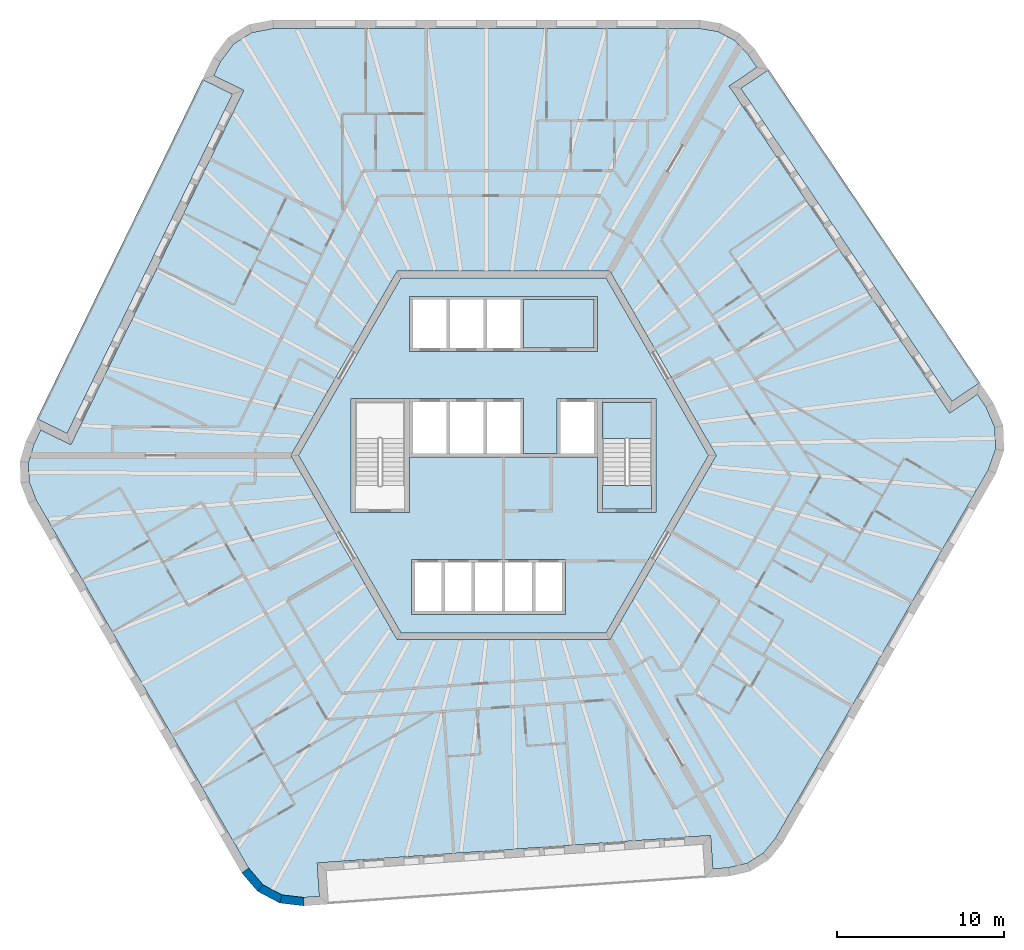
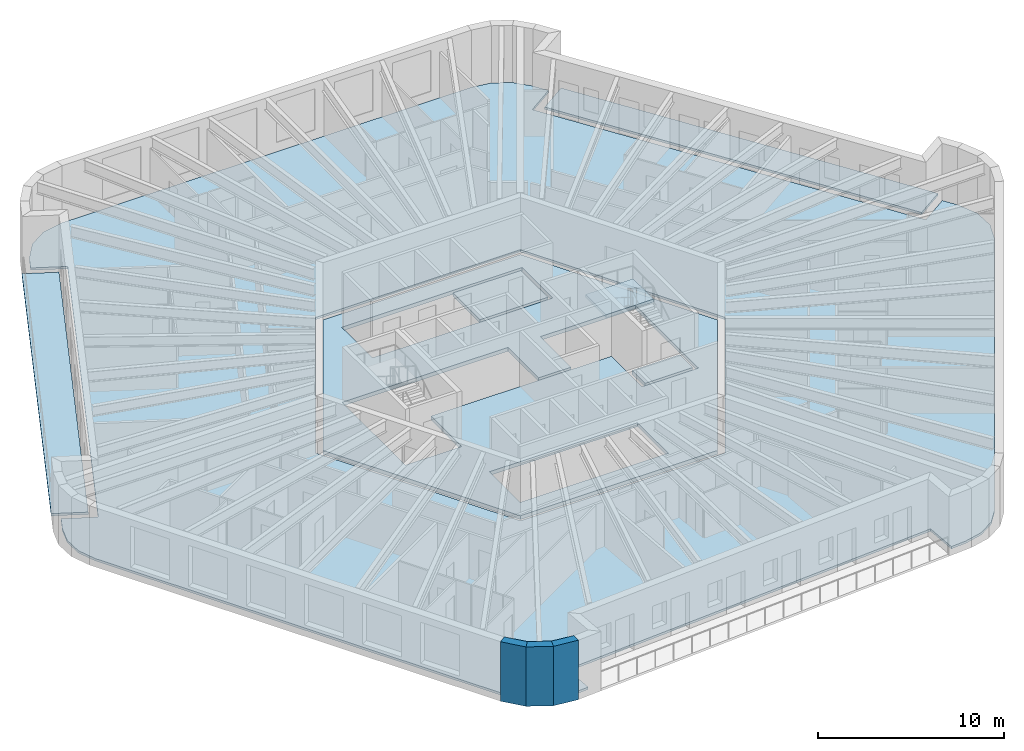
# One storey, part 2 of 12: 7 slabs, 3 walls, 1 element without a shape of its own.
"""IFC4 building model written with IfcOpenShell, lengths in metres."""

from ifc_helpers import new_model, si_unit, direction, frame, origin, place, context, subcontext, project, spatial, polyline, outline, extrude, material, layer, layer_set, type_object, element, aggregate, save


model = new_model("IFC4")

# Units and contexts
model_context = context("Model", 3, precision=1e-05, world=origin(), true_north=direction((0.0, 1.0)))
body_context = subcontext(model_context, "Body", "Model", "MODEL_VIEW")
ifc_project = project(units=[si_unit("LENGTHUNIT", "METRE"), si_unit("AREAUNIT", "SQUARE_METRE"), si_unit("VOLUMEUNIT", "CUBIC_METRE"), si_unit("PLANEANGLEUNIT", "RADIAN"), si_unit("MASSUNIT", "GRAM", prefix="KILO")], contexts=[model_context])

# Site, building, storey
site_placement = place(None, origin())
site = spatial("IfcSite", under=ifc_project, at=site_placement, CompositionType="ELEMENT")
building_placement = place(site_placement, origin())
building = spatial("IfcBuilding", under=site, at=building_placement, Name="Tarnside Tower", CompositionType="ELEMENT")
storey_placement = place(building_placement, frame((0.0, 0.0, 275.699951171875)))
storey = spatial("IfcBuildingStorey", under=building, at=storey_placement, Name="L66", CompositionType="ELEMENT", Elevation=275.699951171875)

# Slabs
ifc_material_1 = material(Name="Concrete C35/45", Category="concrete")
ifc_layer_1 = layer(ifc_material_1, 0.14990234375)
ifc_layer_set_1 = layer_set([ifc_layer_1], Name="Composite floor slab 150")
slab_type_1 = type_object("IfcSlabType", Name="Composite floor slab 150", PredefinedType="FLOOR", material=ifc_layer_set_1)
slab_1_placement = place(storey_placement, frame((0.0, 0.0, -0.14990234375)))
element("IfcSlab", 1, at=slab_1_placement, inside=storey, type_object=slab_type_1, Name="Floor slab L66", PredefinedType="FLOOR", context=body_context, shape_type="SweptSolid", body=[
    extrude(outline(polyline([(12.81689453125, 25.312744140625), (13.818115234375, 24.7802734375), (14.610595703125, 23.940185546875), (15.130615234375, 23.169677734375), (13.472412109375, 22.05126953125), (26.638427734375, 2.53173828125), (28.29638671875, 3.650146484375), (28.814697265625, 2.8818359375), (29.336669921875, 1.671875), (29.3818359375, 0.378662109375), (28.945556640625, -0.864990234375), (16.2451171875, -22.86279296875), (15.51318359375, -23.756103515625), (14.55126953125, -24.35693359375), (13.427490234375, -24.623291015625), (12.500244140625, -24.688232421875), (12.360595703125, -22.693115234375), (-11.126708984375, -24.33544921875), (-10.9873046875, -26.33056640625), (-11.91162109375, -26.395263671875), (-13.220458984375, -26.2421875), (-14.363037109375, -25.634765625), (-15.2216796875, -24.635009765625), (-27.922119140625, -2.63720703125), (-28.329833984375, -1.556640625), (-28.369384765625, -0.42333984375), (-28.0380859375, 0.68310546875), (-27.630615234375, 1.5185546875), (-25.8330078125, 0.641845703125), (-15.51171875, 21.8037109375), (-17.309326171875, 22.680419921875), (-16.903076171875, 23.51318359375), (-16.1162109375, 24.5703125), (-15.018798828125, 25.256103515625), (-13.723876953125, 25.5), (11.67724609375, 25.5), (12.81689453125, 25.312744140625)]), holes=[polyline([(-12.70166015625, 0.0), (-6.350830078125, -11.0), (6.350830078125, -11.0), (12.70166015625, 0.0), (6.350830078125, 11.0), (-6.350830078125, 11.0), (-12.70166015625, 0.0)])]), origin(), (0.0, 0.0, 1.0), 0.14990234375),
])
ifc_material_2 = material(Name="Concrete C40/50", Category="concrete")
ifc_layer_2 = layer(ifc_material_2, 0.25)
ifc_layer_set_2 = layer_set([ifc_layer_2], Name="Core slab C40/50")
slab_type_2 = type_object("IfcSlabType", Name="Core slab C40/50", PredefinedType="FLOOR", material=ifc_layer_set_2)
slab_2_placement = place(storey_placement, frame((0.0, 0.0, -0.25)))
element("IfcSlab", 2, at=slab_2_placement, inside=storey, type_object=slab_type_2, Name="L66 core floor slab 1", PredefinedType="FLOOR", context=body_context, shape_type="SweptSolid", body=[
    extrude(outline(polyline([(6.119873046875, 10.60009765625), (12.23974609375, 0.0), (6.119873046875, -10.60009765625), (-6.119873046875, -10.60009765625), (-12.23974609375, 0.0), (-6.119873046875, 10.60009765625), (6.119873046875, 10.60009765625)]), holes=[polyline([(-5.5, -9.5), (3.699951171875, -9.5), (3.699951171875, -9.300048828125), (3.699951171875, -6.39990234375), (3.699951171875, -6.199951171875), (-5.5, -6.199951171875), (-5.5, -6.39990234375), (-5.5, -9.300048828125), (-5.5, -9.5)]), polyline([(-5.60009765625, -3.39990234375), (-5.60009765625, -0.10009765625), (5.60009765625, -0.10009765625), (5.60009765625, -3.39990234375), (5.89990234375, -3.39990234375), (8.85009765625, -3.39990234375), (9.10009765625, -3.39990234375), (9.10009765625, 3.39990234375), (8.85009765625, 3.39990234375), (5.89990234375, 3.39990234375), (5.60009765625, 3.39990234375), (3.39990234375, 3.39990234375), (3.199951171875, 3.39990234375), (3.199951171875, 0.10009765625), (1.199951171875, 0.10009765625), (1.199951171875, 3.39990234375), (1.0, 3.39990234375), (-5.60009765625, 3.39990234375), (-5.89990234375, 3.39990234375), (-8.85009765625, 3.39990234375), (-9.10009765625, 3.39990234375), (-9.10009765625, -3.39990234375), (-8.85009765625, -3.39990234375), (-5.89990234375, -3.39990234375), (-5.60009765625, -3.39990234375)]), polyline([(-5.60009765625, 6.199951171875), (5.60009765625, 6.199951171875), (5.60009765625, 6.39990234375), (5.60009765625, 9.300048828125), (5.60009765625, 9.5), (-5.60009765625, 9.5), (-5.60009765625, 9.300048828125), (-5.60009765625, 6.39990234375), (-5.60009765625, 6.199951171875)])]), origin(), (0.0, 0.0, 1.0), 0.25),
])
slab_3_placement = place(storey_placement, frame((0.0, 0.0, -0.25)))
element("IfcSlab", 3, at=slab_3_placement, inside=storey, type_object=slab_type_2, Name="L66 core floor slab 3", PredefinedType="FLOOR", context=body_context, shape_type="SweptSolid", body=[
    extrude(outline(polyline([(5.89990234375, -1.800048828125), (8.85009765625, -1.800048828125), (8.85009765625, -3.199951171875), (5.89990234375, -3.199951171875), (5.89990234375, -1.800048828125)])), origin(), (0.0, 0.0, 1.0), 0.25),
])
slab_4_placement = place(storey_placement, frame((0.0, 0.0, -0.25)))
element("IfcSlab", 4, at=slab_4_placement, inside=storey, type_object=slab_type_2, Name="L66 core floor slab 4", PredefinedType="FLOOR", context=body_context, shape_type="SweptSolid", body=[
    extrude(outline(polyline([(5.39990234375, 6.39990234375), (1.199951171875, 6.39990234375), (1.199951171875, 9.300048828125), (5.39990234375, 9.300048828125), (5.39990234375, 6.39990234375)])), origin(), (0.0, 0.0, 1.0), 0.25),
])
ifc_material_3 = material(Name="Timber decking", Category="wood")
ifc_layer_3 = layer(ifc_material_3, 0.0400390625)
ifc_material_4 = material(Name="Concrete C60/75 precast", Category="concrete")
ifc_layer_4 = layer(ifc_material_4, 0.110107421875)
ifc_layer_set_3 = layer_set([ifc_layer_3, ifc_layer_4], Name="Loggia deck 150")
slab_type_3 = type_object("IfcSlabType", Name="Loggia deck 150", PredefinedType="FLOOR", material=ifc_layer_set_3)
slab_5_placement = place(storey_placement, frame((0.0, 0.0, -0.14990234375)))
element("IfcSlab", 5, at=slab_5_placement, inside=storey, type_object=slab_type_3, Name="Loggia deck L66 F2", PredefinedType="FLOOR", context=body_context, shape_type="SweptSolid", body=[
    extrude(outline(polyline([(-16.180419921875, 21.573486328125), (-26.063232421875, 1.310302734375), (-27.86083984375, 2.187255859375), (-17.97802734375, 22.4501953125), (-16.180419921875, 21.573486328125)])), origin(), (0.0, 0.0, 1.0), 0.14990234375),
])
slab_6_placement = place(storey_placement, frame((0.0, 0.0, -0.14990234375)))
element("IfcSlab", 6, at=slab_6_placement, inside=storey, type_object=slab_type_3, Name="Loggia deck L66 F6", PredefinedType="FLOOR", context=body_context, shape_type="SweptSolid", body=[
    extrude(outline(polyline([(26.7734375, 3.225830078125), (14.16650390625, 21.916259765625), (15.82470703125, 23.03466796875), (28.431396484375, 4.34423828125), (26.7734375, 3.225830078125)])), origin(), (0.0, 0.0, 1.0), 0.14990234375),
])

# Stair, slab
stair_type = type_object("IfcStairType", Name="Exit stair 1400 clear", PredefinedType="HALF_TURN_STAIR", material=ifc_material_2)
stair_placement = place(storey_placement, origin())
stair = element("IfcStair", 7, at=stair_placement, inside=storey, type_object=stair_type, Name="L66 Exit stair 1", PredefinedType="HALF_TURN_STAIR")
ifc_layer_5 = layer(ifc_material_2, 0.199951171875)
ifc_layer_set_4 = layer_set([ifc_layer_5], Name="Stair landing 200 C40/50")
slab_type_4 = type_object("IfcSlabType", Name="Stair landing 200 C40/50", PredefinedType="LANDING", material=ifc_layer_set_4)
slab_7_placement = place(storey_placement, frame((0.0, 0.0, 1.75)))
slab_7 = element("IfcSlab", 8, at=slab_7_placement, type_object=slab_type_4, Name="ST1 landing 1", PredefinedType="LANDING", context=body_context, shape_type="SweptSolid", body=[
    extrude(outline(polyline([(8.85009765625, 1.0), (8.85009765625, 3.199951171875), (5.89990234375, 3.199951171875), (5.89990234375, 1.0), (8.85009765625, 1.0)])), origin(), (0.0, 0.0, 1.0), 0.199951171875),
])
aggregate(stair, [slab_7])

# Walls
ifc_material_5 = material(Name="Facing brick", Category="masonry")
ifc_layer_6 = layer(ifc_material_5, 0.10205078125)
ifc_layer_7 = layer(ifc_material_4, 0.298095703125)
ifc_material_6 = material(Name="Mineral wool insulation")
ifc_layer_8 = layer(ifc_material_6, 0.10009765625)
ifc_layer_set_5 = layer_set([ifc_layer_6, ifc_layer_7, ifc_layer_8], Name="Tube wall 500 brick faced")
wall_type = type_object("IfcWallType", Name="Tube wall 500 brick faced", PredefinedType="SOLIDWALL", material=ifc_layer_set_5)
wall_1_placement = place(storey_placement, frame((-15.426513671875, -24.7802734375, -0.14990234375), z_axis=(0.0, 0.0, 1.0), x_axis=(0.651616566281, -0.758548515619, 0.0)))
element("IfcWall", 9, at=wall_1_placement, inside=storey, type_object=wall_type, Name="Tube wall L66 F3 chord 13", PredefinedType="SOLIDWALL", context=body_context, shape_type="SweptSolid", body=[
    extrude(outline(polyline([(-0.0234375, -0.25), (1.435302734375, -0.25), (1.341064453125, 0.25), (0.0234375, 0.25), (-0.0234375, -0.25)])), origin(), (0.0, 0.0, 1.0), 3.89990234375),
])
wall_2_placement = place(storey_placement, frame((-14.52197265625, -25.833251953125, -0.14990234375), z_axis=(0.0, 0.0, 1.0), x_axis=(0.882926676147, -0.469510899286, 0.0)))
element("IfcWall", 10, at=wall_2_placement, inside=storey, type_object=wall_type, Name="Tube wall L66 F3 chord 14", PredefinedType="SOLIDWALL", context=body_context, shape_type="SweptSolid", body=[
    extrude(outline(polyline([(-0.047119140625, -0.25), (1.435546875, -0.25), (1.34130859375, 0.25), (0.047119140625, 0.25), (-0.047119140625, -0.25)])), origin(), (0.0, 0.0, 1.0), 3.89990234375),
])
wall_3_placement = place(storey_placement, frame((-13.296142578125, -26.485107421875, -0.14990234375), z_axis=(0.0, 0.0, 1.0), x_axis=(0.993239161627, -0.116086036245, 0.0)))
element("IfcWall", 11, at=wall_3_placement, inside=storey, type_object=wall_type, Name="Tube wall L66 F3 chord 15", PredefinedType="SOLIDWALL", context=body_context, shape_type="SweptSolid", body=[
    extrude(outline(polyline([(-0.047119140625, -0.25), (1.411376953125, -0.25), (1.364501953125, 0.25), (0.047119140625, 0.25), (-0.047119140625, -0.25)])), origin(), (0.0, 0.0, 1.0), 3.89990234375),
])

save(model, "model.ifc")
